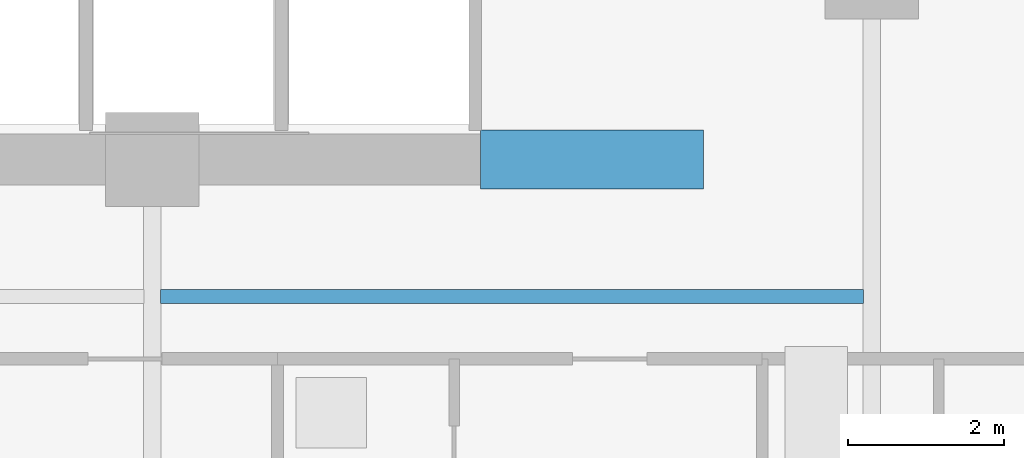
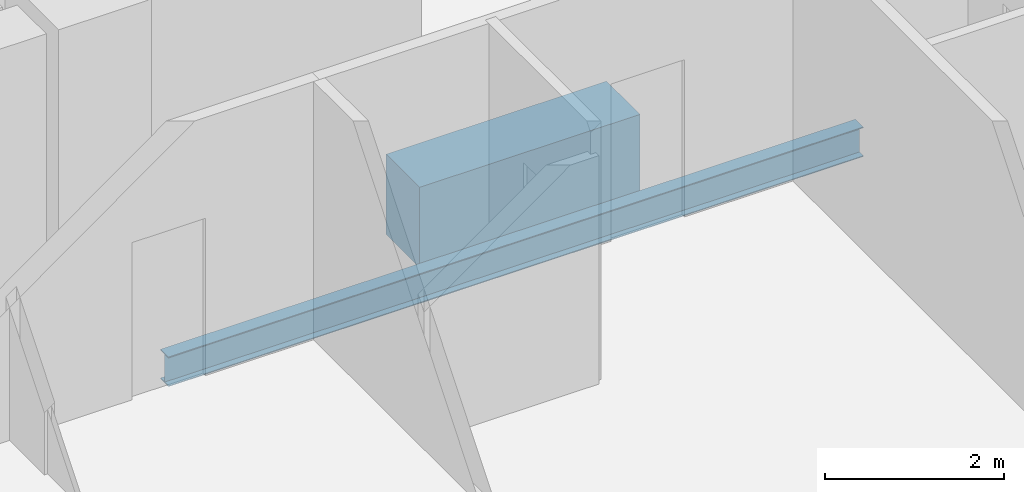
# One storey, part 11 of 32: 2 beams.
"""IFC4 building model written with IfcOpenShell, lengths in metres."""

import ifcopenshell
import ifcopenshell.guid

model = None  # the IFC model being written
_history = None  # IfcOwnerHistory: only IFC2X3 demands one
_inside = {}  # id of a spatial element -> (the spatial element, [elements in it])
_under = {}  # id of a project, library or spatial element -> (it, [spatial elements below it])
_declared = {}  # id of a project -> (the project, [libraries it declares])
_typed = {}  # id of a type object -> (the type object, [elements of that type])
_made_of = {}  # id of a material, layer set ... -> (it, [elements and type objects made of it])


def new_model(schema):
    """Start an empty IFC model of exactly this schema.

    Asked for "IFC4X3", IfcOpenShell would pick the latest addendum, in which some entities
    have other attributes; the version numbers below select the first issue.
    IFC2X3 requires an IfcOwnerHistory on every rooted entity: one is made here for all.
    """
    global model, _history
    if schema == "IFC4X3":
        model = ifcopenshell.file(schema_version=(4, 3, 0, 0))
    else:
        model = ifcopenshell.file(schema=schema)
    _inside.clear()
    _under.clear()
    _declared.clear()
    _typed.clear()
    _made_of.clear()
    _history = None
    if model.schema == "IFC2X3":
        org = make("IfcOrganization", Name="unknown")
        user = make(
            "IfcPersonAndOrganization",
            ThePerson=make("IfcPerson", FamilyName="unknown"),
            TheOrganization=org,
        )
        app = make(
            "IfcApplication",
            ApplicationDeveloper=org,
            Version="unknown",
            ApplicationFullName="unknown",
            ApplicationIdentifier="unknown",
        )
        _history = make(
            "IfcOwnerHistory",
            OwningUser=user,
            OwningApplication=app,
            ChangeAction="ADDED",
            CreationDate=0,
        )
    return model


def make(cls, **values):
    """One entity of the class cls with the attributes given. An attribute that is None is left unset."""
    return model.create_entity(
        cls, **{name: value for name, value in values.items() if value is not None}
    )


def rooted(cls, **values):
    """An entity with a GlobalId (a new one), such as an element, a storey or a relation."""
    return make(cls, GlobalId=ifcopenshell.guid.new(), OwnerHistory=_history, **values)


def si_unit(unit_type, name, prefix=None):
    """IfcSIUnit, for example si_unit("LENGTHUNIT", "METRE", prefix="MILLI")."""
    return make("IfcSIUnit", UnitType=unit_type, Prefix=prefix, Name=name)


def assignment(units):
    """IfcUnitAssignment: the units of a project."""
    return None if units is None else make("IfcUnitAssignment", Units=units)


def point(xyz):
    """IfcCartesianPoint."""
    return None if xyz is None else make("IfcCartesianPoint", Coordinates=xyz)


def direction(xyz):
    """IfcDirection."""
    return None if xyz is None else make("IfcDirection", DirectionRatios=xyz)


def frame(location, z_axis=None, x_axis=None):
    """IfcAxis2Placement3D, a coordinate frame: its origin and axes. An axis left out is left unset."""
    return make(
        "IfcAxis2Placement3D",
        Location=point(location),
        Axis=direction(z_axis),
        RefDirection=direction(x_axis),
    )


def frame_2d(location, x_axis=None):
    """IfcAxis2Placement2D, a coordinate frame in the plane: its origin and x axis."""
    return make(
        "IfcAxis2Placement2D", Location=point(location), RefDirection=direction(x_axis)
    )


def origin():
    """The frame at (0, 0, 0) with its axes left unset."""
    return frame((0.0, 0.0, 0.0))


def origin_2d():
    """The frame at (0, 0) in the plane with its x axis left unset."""
    return frame_2d((0.0, 0.0))


def place(relative_to, where):
    """IfcLocalPlacement: puts the frame where relative to a parent placement (None: the world)."""
    return make(
        "IfcLocalPlacement", PlacementRelTo=relative_to, RelativePlacement=where
    )


def context(
    kind, dimensions, precision=None, world=None, true_north=None, identifier=None
):
    """IfcGeometricRepresentationContext, for example the 3D "Model" context."""
    return make(
        "IfcGeometricRepresentationContext",
        ContextIdentifier=identifier,
        ContextType=kind,
        CoordinateSpaceDimension=dimensions,
        Precision=precision,
        WorldCoordinateSystem=world,
        TrueNorth=true_north,
    )


def subcontext(parent, identifier, kind, view, scale=None):
    """IfcGeometricRepresentationSubContext, for example "Body" below "Model"."""
    return make(
        "IfcGeometricRepresentationSubContext",
        ContextIdentifier=identifier,
        ContextType=kind,
        ParentContext=parent,
        TargetScale=scale,
        TargetView=view,
    )


def project(units=None, contexts=None):
    """IfcProject with its units and contexts."""
    return rooted(
        "IfcProject",
        Name="project",
        RepresentationContexts=contexts,
        UnitsInContext=assignment(units),
    )


def spatial(cls, under=None, at=None, **own):
    """A site, building, storey or space (cls), placed at a placement, below another one or the project."""
    s = rooted(cls, ObjectPlacement=at, **own)
    if under is not None:
        _under.setdefault(under.id(), (under, []))[1].append(s)
    return s


def profile(cls, at=None, kind="AREA", **sizes):
    """A parametric profile (cls). Its sizes go by their IFC names, for example OverallWidth=200.0."""
    return make(cls, ProfileType=kind, Position=at, **sizes)


def rectangle(**sizes):
    """IfcRectangleProfileDef."""
    return profile("IfcRectangleProfileDef", **sizes)


def i_section(**sizes):
    """IfcIShapeProfileDef."""
    return profile("IfcIShapeProfileDef", **sizes)


def extrude(swept, where, along, depth):
    """IfcExtrudedAreaSolid: the profile swept, set in the frame where, extruded along a direction by depth."""
    return make(
        "IfcExtrudedAreaSolid",
        SweptArea=swept,
        Position=where,
        ExtrudedDirection=direction(along),
        Depth=depth,
    )


def shape(context_of_items, identifier, shape_type, items):
    """IfcShapeRepresentation: the items that make up one representation, for example the "Body"."""
    return make(
        "IfcShapeRepresentation",
        ContextOfItems=context_of_items,
        RepresentationIdentifier=identifier,
        RepresentationType=shape_type,
        Items=items,
    )


def material(Name=None, Category=None):
    """IfcMaterial."""
    return make("IfcMaterial", Name=Name, Category=Category)


def material_profile(
    of_material, cross_section, Name=None, Category=None, Priority=None
):
    """IfcMaterialProfile: a cross section and its material."""
    return make(
        "IfcMaterialProfile",
        Name=Name,
        Material=of_material,
        Profile=cross_section,
        Priority=Priority,
        Category=Category,
    )


def profile_set(profiles, Name=None, composite=None):
    """IfcMaterialProfileSet."""
    return make(
        "IfcMaterialProfileSet",
        Name=Name,
        MaterialProfiles=profiles,
        CompositeProfile=composite,
    )


def made_of(thing, what):
    """Note that an element or type object is made of a material, layer set ...; save() writes the relation."""
    if what is not None:
        _made_of.setdefault(what.id(), (what, []))[1].append(thing)
    return thing


def type_object(cls, material=None, **own):
    """A type object (cls), such as IfcWallType, which elements share."""
    return made_of(rooted(cls, **own), material)


def element(
    cls,
    number,
    at=None,
    inside=None,
    cuts=None,
    type_object=None,
    material=None,
    context=None,
    identifier="Body",
    shape_type=None,
    held_by="IfcProductDefinitionShape",
    body=None,
    shapes=None,
    **own,
):
    """One element of the class cls, such as IfcWall. Its Tag is "e" and its number.

    at: its placement. inside: the storey or other place that contains it. cuts: it is an
    opening in that element (IfcRelVoidsElement). A single representation is given by context,
    identifier, shape_type and body (its items); several are given by shapes. held_by: the class
    of the entity that holds the representations. save() writes the other relations.
    """
    e = rooted(cls, Tag="e%d" % number, ObjectPlacement=at, **own)
    if body is not None:
        shapes = [shape(context, identifier, shape_type, body)]
    if shapes is not None:
        e.Representation = make(held_by, Representations=shapes)
    if inside is not None:
        _inside.setdefault(inside.id(), (inside, []))[1].append(e)
    if cuts is not None:
        rooted(
            "IfcRelVoidsElement", RelatingBuildingElement=cuts, RelatedOpeningElement=e
        )
    if type_object is not None:
        _typed.setdefault(type_object.id(), (type_object, []))[1].append(e)
    return made_of(e, material)


def aggregate(whole, parts):
    """IfcRelAggregates: a whole, such as a stair, and the parts it consists of."""
    return rooted("IfcRelAggregates", RelatingObject=whole, RelatedObjects=parts)


def save(model, path):
    """Write the relations noted so far, then the file.

    IfcRelAggregates (storeys below a building ...), IfcRelContainedInSpatialStructure (elements
    in a storey), IfcRelDefinesByType, IfcRelAssociatesMaterial and IfcRelDeclares: one each for
    every whole, place, type object, material and project.
    """
    for whole, parts in _under.values():
        aggregate(whole, parts)
    for where, things in _inside.values():
        rooted(
            "IfcRelContainedInSpatialStructure",
            RelatedElements=things,
            RelatingStructure=where,
        )
    for kind, things in _typed.values():
        rooted("IfcRelDefinesByType", RelatedObjects=things, RelatingType=kind)
    for what, things in _made_of.values():
        rooted("IfcRelAssociatesMaterial", RelatedObjects=things, RelatingMaterial=what)
    for by, libraries in _declared.values():
        rooted("IfcRelDeclares", RelatingContext=by, RelatedDefinitions=libraries)
    model.write(path)


model = new_model("IFC4")

# Units and contexts
model_context = context("Model", 3, precision=1e-05, world=origin(), true_north=direction((0.0, 1.0)))
body_context = subcontext(model_context, "Body", "Model", "MODEL_VIEW")
ifc_project = project(units=[si_unit("LENGTHUNIT", "METRE"), si_unit("AREAUNIT", "SQUARE_METRE"), si_unit("VOLUMEUNIT", "CUBIC_METRE"), si_unit("PLANEANGLEUNIT", "RADIAN"), si_unit("MASSUNIT", "GRAM", prefix="KILO")], contexts=[model_context])

# Site, building, storey
site_placement = place(None, origin())
site = spatial("IfcSite", under=ifc_project, at=site_placement, CompositionType="ELEMENT")
building_placement = place(site_placement, origin())
building = spatial("IfcBuilding", under=site, at=building_placement, Name="Zuhayl Quay Hotel", CompositionType="ELEMENT")
storey_placement = place(building_placement, frame((0.0, 0.0, 192.39990234375)))
storey = spatial("IfcBuildingStorey", under=building, at=storey_placement, Name="L48", CompositionType="ELEMENT", Elevation=192.39990234375)

# Beams
ifc_material_1 = material(Name="Concrete C60/75", Category="concrete")
ifc_material_profile_1 = material_profile(ifc_material_1, rectangle(XDim=0.75, YDim=1.10009765625, at=origin_2d()), Name="RC750X1100")
ifc_profile_set_1 = profile_set([ifc_material_profile_1], Name="Concrete C60/75")
beam_type_1 = type_object("IfcBeamType", Name="BM_CB2_RC750", PredefinedType="T_BEAM", material=ifc_profile_set_1)
beam_1_placement = place(storey_placement, frame((8.800048828125, 2.14990234375, -0.77001953125), z_axis=(1.0, 0.0, 0.0), x_axis=(0.0, 1.0, 0.0)))
element("IfcBeam", 1, at=beam_1_placement, inside=storey, type_object=beam_type_1, Name="L48 Core Coupling Beam SE", PredefinedType="T_BEAM", context=body_context, shape_type="SweptSolid", body=[
    extrude(rectangle(XDim=0.75, YDim=1.10009765625, at=origin_2d()), origin(), (0.0, 0.0, 1.0), 2.849853515625),
])
ifc_material_2 = material(Name="Steel ASTM A992 Grade 50", Category="steel")
ifc_material_profile_2 = material_profile(ifc_material_2, i_section(OverallWidth=0.177978515625, OverallDepth=0.406005859375, WebThickness=0.0078125, FlangeThickness=0.0126953125, at=origin_2d()), Name="W16X40")
ifc_profile_set_2 = profile_set([ifc_material_profile_2], Name="Steel ASTM A992 Grade 50")
beam_type_2 = type_object("IfcBeamType", Name="BM_J2B_W16X40", PredefinedType="JOIST", material=ifc_profile_set_2)
beam_2_placement = place(storey_placement, frame((4.7060546875, 0.39990234375, -0.4228515625), z_axis=(1.0, 0.0, 0.0), x_axis=(0.0, 1.0, 0.0)))
element("IfcBeam", 2, at=beam_2_placement, inside=storey, type_object=beam_type_2, Name="L48 Floor Beam FJ_L48_8_3", PredefinedType="JOIST", context=body_context, shape_type="SweptSolid", body=[
    extrude(i_section(OverallWidth=0.177978515625, OverallDepth=0.406005859375, WebThickness=0.0078125, FlangeThickness=0.0126953125, at=origin_2d()), origin(), (0.0, 0.0, 1.0), 8.988037109375),
])

save(model, "model.ifc")
